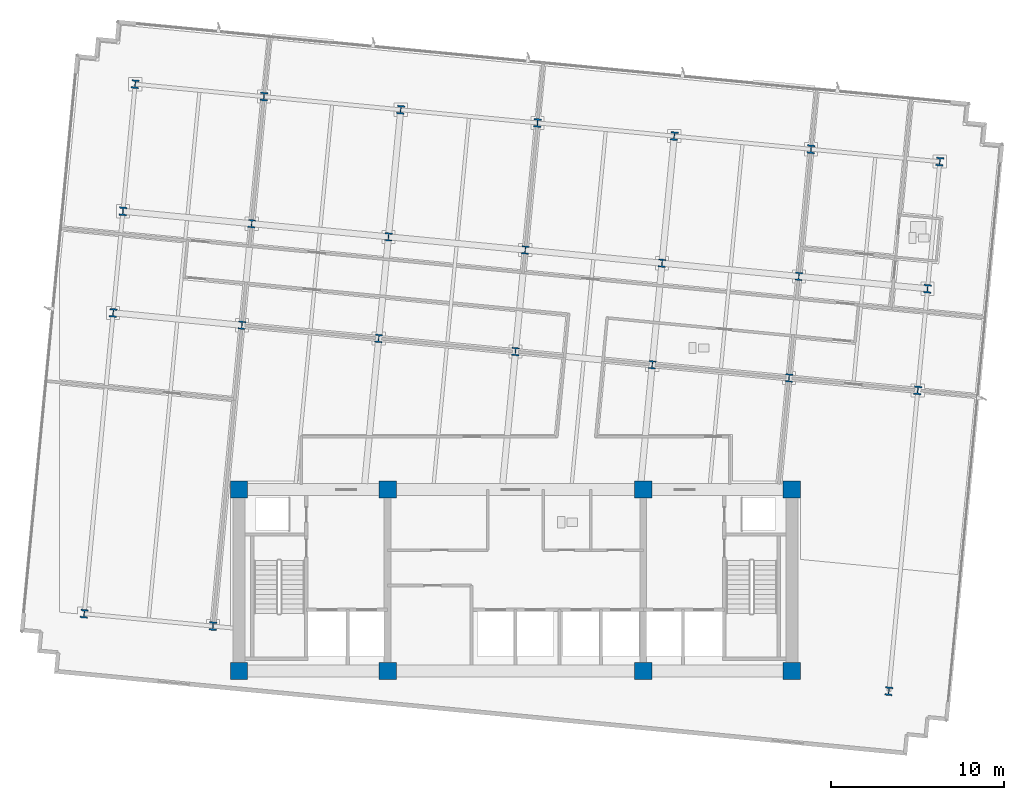
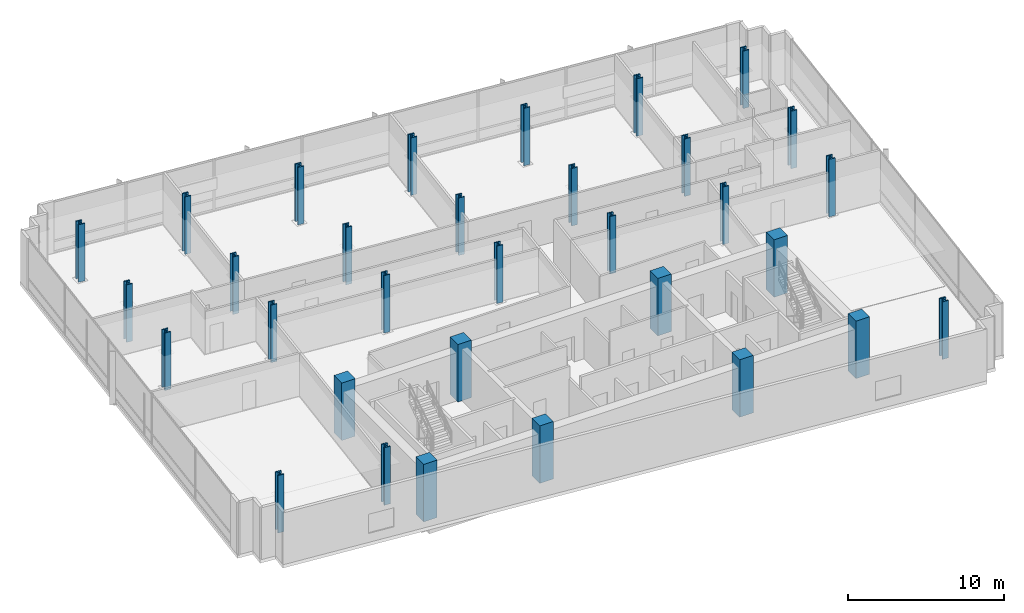
# One storey, part 1 of 17: 32 columns.
"""IFC4 building model written with IfcOpenShell, lengths in metres."""

from ifc_helpers import new_model, si_unit, direction, frame, origin, origin_2d, place, context, subcontext, project, spatial, rectangle, i_section, extrude, material, material_profile, profile_set, type_object, element, save


model = new_model("IFC4")

# Units and contexts
model_context = context("Model", 3, precision=1e-05, world=origin(), true_north=direction((0.0, 1.0)))
body_context = subcontext(model_context, "Body", "Model", "MODEL_VIEW")
ifc_project = project(units=[si_unit("LENGTHUNIT", "METRE"), si_unit("AREAUNIT", "SQUARE_METRE"), si_unit("VOLUMEUNIT", "CUBIC_METRE"), si_unit("PLANEANGLEUNIT", "RADIAN"), si_unit("MASSUNIT", "GRAM", prefix="KILO")], contexts=[model_context])

# Site, building, storey
site_placement = place(None, origin())
site = spatial("IfcSite", under=ifc_project, at=site_placement, CompositionType="ELEMENT")
building_placement = place(site_placement, origin())
building = spatial("IfcBuilding", under=site, at=building_placement, Name="Solmavex Isthmus Hotel", CompositionType="ELEMENT")
storey_placement = place(building_placement, frame((0.0, 0.0, 181.800048828125)))
storey = spatial("IfcBuildingStorey", under=building, at=storey_placement, Name="L49", CompositionType="ELEMENT", Elevation=181.800048828125)

# Columns
ifc_material_1 = material(Name="Concrete C60/75", Category="concrete")
ifc_material_profile_1 = material_profile(ifc_material_1, rectangle(XDim=1.0, YDim=1.0, at=origin_2d()), Name="RC1000X1000")
ifc_profile_set_1 = profile_set([ifc_material_profile_1], Name="Concrete C60/75")
column_type_1 = type_object("IfcColumnType", Name="COL-CC-1000", PredefinedType="COLUMN", material=ifc_profile_set_1)
for number, where, z_axis, x_axis, name in (
    (1, (-16.0, -13.0, 0.0), (0.0, 0.0, 1.0), (1.0, 0.0, 0.0), "Core Pilaster CC-SW L49"),
    (2, (-7.39990234375, -13.0, 0.0), (0.0, 0.0, 1.0), (1.0, 0.0, 0.0), "Core Pilaster CC-S1 L49"),
    (3, (7.39990234375, -13.0, 0.0), (0.0, 0.0, 1.0), (1.0, 0.0, 0.0), "Core Pilaster CC-S2 L49"),
    (4, (16.0, -13.0, 0.0), (0.0, 0.0, 1.0), (1.0, 0.0, 0.0), "Core Pilaster CC-SE L49"),
    (5, (-16.0, -2.5, 0.0), (0.0, 0.0, 1.0), (1.0, 0.0, 0.0), "Core Pilaster CC-NW L49"),
    (6, (-7.39990234375, -2.5, 0.0), (0.0, 0.0, 1.0), (1.0, 0.0, 0.0), "Core Pilaster CC-N1 L49"),
    (7, (7.39990234375, -2.5, 0.0), (0.0, 0.0, 1.0), (1.0, 0.0, 0.0), "Core Pilaster CC-N2 L49"),
    (8, (16.0, -2.5, 0.0), (0.0, 0.0, 1.0), (1.0, 0.0, 0.0), "Core Pilaster CC-NE L49"),
):
    element("IfcColumn", number, at=place(storey_placement, frame(where, z_axis=z_axis, x_axis=x_axis)), inside=storey, type_object=column_type_1, Name=name, PredefinedType="COLUMN", context=body_context, shape_type="SweptSolid", body=[
        extrude(rectangle(XDim=1.0, YDim=1.0, at=origin_2d()), origin(), (0.0, 0.0, 1.0), 4.5),
    ])
ifc_material_2 = material(Name="Steel ASTM A913 Grade 65", Category="steel")
ifc_material_profile_2 = material_profile(ifc_material_2, i_section(OverallWidth=0.424072265625, OverallDepth=0.47412109375, WebThickness=0.047607421875, FlangeThickness=0.0771484375, FilletRadius=0.030517578125, at=origin_2d()), Name="W14X426")
ifc_profile_set_2 = profile_set([ifc_material_profile_2], Name="Steel ASTM A913 Grade 65")
column_type_2 = type_object("IfcColumnType", Name="COL-SC-W14X426", PredefinedType="COLUMN", material=ifc_profile_set_2)
for number, where, z_axis, x_axis, name in (
    (9, (-15.83740234375, 7.015380859375, 0.0), (0.0, 0.0, 1.0), (0.995396198367, -0.09584575252, 0.0), "Tower Column B3-U2V2 L49"),
    (10, (-15.271240234375, 12.896240234375, 0.0), (0.0, 0.0, 1.0), (0.995396198367, -0.09584575252, 0.0), "Tower Column B3-U2V3 L49"),
    (11, (-7.918212890625, 6.2529296875, 0.0), (0.0, 0.0, 1.0), (0.995396198367, -0.09584575252, 0.0), "Tower Column B3-U3V2 L49"),
    (12, (-7.351806640625, 12.1337890625, 0.0), (0.0, 0.0, 1.0), (0.995396198367, -0.09584575252, 0.0), "Tower Column B3-U3V3 L49"),
    (13, (0.001220703125, 5.490234375, 0.0), (0.0, 0.0, 1.0), (0.995396198367, -0.09584575252, 0.0), "Tower Column B3-U4V2 L49"),
    (14, (0.567626953125, 11.37109375, 0.0), (0.0, 0.0, 1.0), (0.995396198367, -0.09584575252, 0.0), "Tower Column B3-U4V3 L49"),
    (15, (7.920654296875, 4.727783203125, 0.0), (0.0, 0.0, 1.0), (0.995396198367, -0.09584575252, 0.0), "Tower Column B3-U5V2 L49"),
    (16, (8.48681640625, 10.608642578125, 0.0), (0.0, 0.0, 1.0), (0.995396198367, -0.09584575252, 0.0), "Tower Column B3-U5V3 L49"),
    (17, (15.840087890625, 3.96533203125, 0.0), (0.0, 0.0, 1.0), (0.995396198367, -0.09584575252, 0.0), "Tower Column B3-U6V2 L49"),
    (18, (16.40625, 9.845947265625, 0.0), (0.0, 0.0, 1.0), (0.995396198367, -0.09584575252, 0.0), "Tower Column B3-U6V3 L49"),
):
    element("IfcColumn", number, at=place(storey_placement, frame(where, z_axis=z_axis, x_axis=x_axis)), inside=storey, type_object=column_type_2, Name=name, PredefinedType="COLUMN", context=body_context, shape_type="SweptSolid", body=[
        extrude(i_section(OverallWidth=0.424072265625, OverallDepth=0.47412109375, WebThickness=0.047607421875, FlangeThickness=0.0771484375, FilletRadius=0.030517578125, at=origin_2d()), origin(), (0.0, 0.0, 1.0), 4.5),
    ])
ifc_material_profile_3 = material_profile(ifc_material_2, i_section(OverallWidth=0.43212890625, OverallDepth=0.497802734375, WebThickness=0.0556640625, FlangeThickness=0.0888671875, FilletRadius=0.030517578125, at=origin_2d()), Name="W14X500")
ifc_profile_set_3 = profile_set([ifc_material_profile_3], Name="Steel ASTM A913 Grade 65")
column_type_3 = type_object("IfcColumnType", Name="COL-SC-W14X500", PredefinedType="COLUMN", material=ifc_profile_set_3)
for number, where, z_axis, x_axis, name in (
    (19, (-24.96826171875, -9.686279296875, 0.0), (0.0, 0.0, 1.0), (0.995396198367, -0.09584575252, 0.0), "Tower Column B3-U1V1 L49"),
    (20, (-23.291015625, 7.733154296875, 0.0), (0.0, 0.0, 1.0), (0.995396198367, -0.09584575252, 0.0), "Tower Column B3-U1V2 L49"),
    (21, (-22.724853515625, 13.614013671875, 0.0), (0.0, 0.0, 1.0), (0.995396198367, -0.09584575252, 0.0), "Tower Column B3-U1V3 L49"),
    (22, (-22.016357421875, 20.971923828125, 0.0), (0.0, 0.0, 1.0), (0.995396198367, -0.09584575252, 0.0), "Tower Column B3-U1V4 L49"),
    (23, (-17.5146484375, -10.404052734375, 0.0), (0.0, 0.0, 1.0), (0.995396198367, -0.09584575252, 0.0), "Tower Column B3-U2V1 L49"),
    (24, (-14.562744140625, 20.254150390625, 0.0), (0.0, 0.0, 1.0), (0.995396198367, -0.09584575252, 0.0), "Tower Column B3-U2V4 L49"),
    (25, (-6.643310546875, 19.49169921875, 0.0), (0.0, 0.0, 1.0), (0.995396198367, -0.09584575252, 0.0), "Tower Column B3-U3V4 L49"),
    (26, (1.276123046875, 18.72900390625, 0.0), (0.0, 0.0, 1.0), (0.995396198367, -0.09584575252, 0.0), "Tower Column B3-U4V4 L49"),
    (27, (9.1953125, 17.966552734375, 0.0), (0.0, 0.0, 1.0), (0.995396198367, -0.09584575252, 0.0), "Tower Column B3-U5V4 L49"),
    (28, (17.11474609375, 17.2041015625, 0.0), (0.0, 0.0, 1.0), (0.995396198367, -0.09584575252, 0.0), "Tower Column B3-U6V4 L49"),
    (29, (21.6162109375, -14.171875, 0.0), (0.0, 0.0, 1.0), (0.995396198367, -0.09584575252, 0.0), "Tower Column B3-U7V1 L49"),
    (30, (23.29345703125, 3.24755859375, 0.0), (0.0, 0.0, 1.0), (0.995396198367, -0.09584575252, 0.0), "Tower Column B3-U7V2 L49"),
    (31, (23.85986328125, 9.12841796875, 0.0), (0.0, 0.0, 1.0), (0.995396198367, -0.09584575252, 0.0), "Tower Column B3-U7V3 L49"),
    (32, (24.568359375, 16.486328125, 0.0), (0.0, 0.0, 1.0), (0.995396198367, -0.09584575252, 0.0), "Tower Column B3-U7V4 L49"),
):
    element("IfcColumn", number, at=place(storey_placement, frame(where, z_axis=z_axis, x_axis=x_axis)), inside=storey, type_object=column_type_3, Name=name, PredefinedType="COLUMN", context=body_context, shape_type="SweptSolid", body=[
        extrude(i_section(OverallWidth=0.43212890625, OverallDepth=0.497802734375, WebThickness=0.0556640625, FlangeThickness=0.0888671875, FilletRadius=0.030517578125, at=origin_2d()), origin(), (0.0, 0.0, 1.0), 4.5),
    ])

save(model, "model.ifc")
